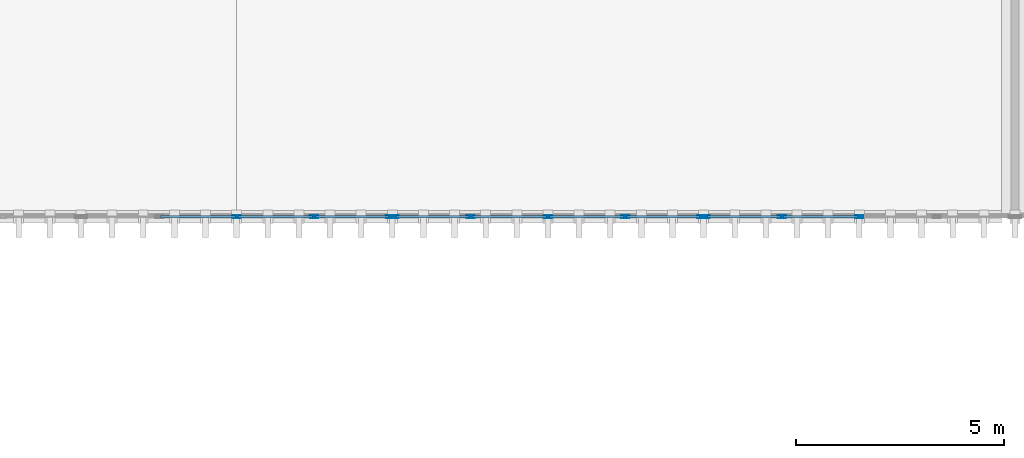
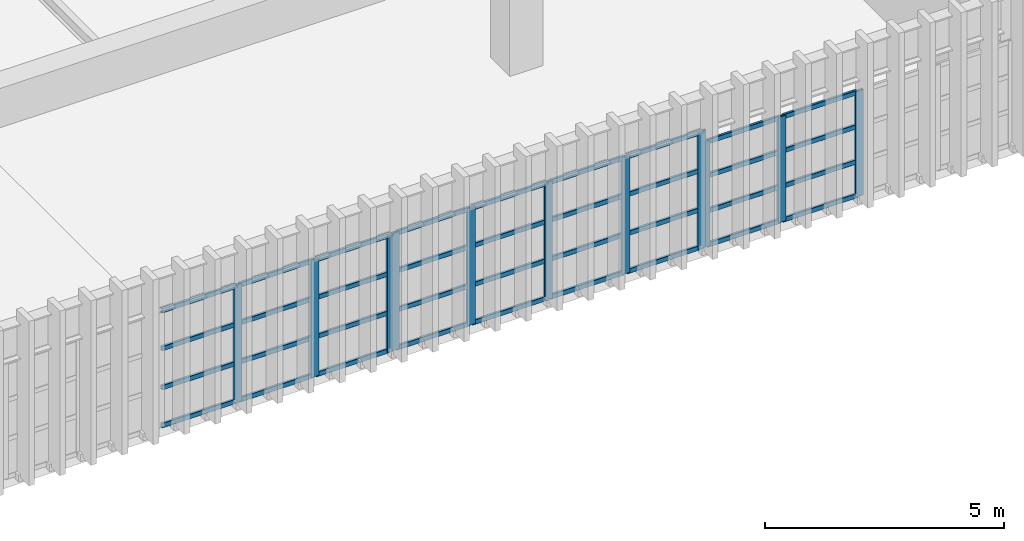
# One storey, part 31 of 124: 47 members, 3 elements without a shape of their own.
"""IFC4 building model written with IfcOpenShell, lengths in metres."""

import ifcopenshell
import ifcopenshell.guid

model = None  # the IFC model being written
_history = None  # IfcOwnerHistory: only IFC2X3 demands one
_inside = {}  # id of a spatial element -> (the spatial element, [elements in it])
_under = {}  # id of a project, library or spatial element -> (it, [spatial elements below it])
_declared = {}  # id of a project -> (the project, [libraries it declares])
_typed = {}  # id of a type object -> (the type object, [elements of that type])
_made_of = {}  # id of a material, layer set ... -> (it, [elements and type objects made of it])


def new_model(schema):
    """Start an empty IFC model of exactly this schema.

    Asked for "IFC4X3", IfcOpenShell would pick the latest addendum, in which some entities
    have other attributes; the version numbers below select the first issue.
    IFC2X3 requires an IfcOwnerHistory on every rooted entity: one is made here for all.
    """
    global model, _history
    if schema == "IFC4X3":
        model = ifcopenshell.file(schema_version=(4, 3, 0, 0))
    else:
        model = ifcopenshell.file(schema=schema)
    _inside.clear()
    _under.clear()
    _declared.clear()
    _typed.clear()
    _made_of.clear()
    _history = None
    if model.schema == "IFC2X3":
        org = make("IfcOrganization", Name="unknown")
        user = make(
            "IfcPersonAndOrganization",
            ThePerson=make("IfcPerson", FamilyName="unknown"),
            TheOrganization=org,
        )
        app = make(
            "IfcApplication",
            ApplicationDeveloper=org,
            Version="unknown",
            ApplicationFullName="unknown",
            ApplicationIdentifier="unknown",
        )
        _history = make(
            "IfcOwnerHistory",
            OwningUser=user,
            OwningApplication=app,
            ChangeAction="ADDED",
            CreationDate=0,
        )
    return model


def make(cls, **values):
    """One entity of the class cls with the attributes given. An attribute that is None is left unset."""
    return model.create_entity(
        cls, **{name: value for name, value in values.items() if value is not None}
    )


def rooted(cls, **values):
    """An entity with a GlobalId (a new one), such as an element, a storey or a relation."""
    return make(cls, GlobalId=ifcopenshell.guid.new(), OwnerHistory=_history, **values)


def si_unit(unit_type, name, prefix=None):
    """IfcSIUnit, for example si_unit("LENGTHUNIT", "METRE", prefix="MILLI")."""
    return make("IfcSIUnit", UnitType=unit_type, Prefix=prefix, Name=name)


def assignment(units):
    """IfcUnitAssignment: the units of a project."""
    return None if units is None else make("IfcUnitAssignment", Units=units)


def point(xyz):
    """IfcCartesianPoint."""
    return None if xyz is None else make("IfcCartesianPoint", Coordinates=xyz)


def direction(xyz):
    """IfcDirection."""
    return None if xyz is None else make("IfcDirection", DirectionRatios=xyz)


def frame(location, z_axis=None, x_axis=None):
    """IfcAxis2Placement3D, a coordinate frame: its origin and axes. An axis left out is left unset."""
    return make(
        "IfcAxis2Placement3D",
        Location=point(location),
        Axis=direction(z_axis),
        RefDirection=direction(x_axis),
    )


def frame_2d(location, x_axis=None):
    """IfcAxis2Placement2D, a coordinate frame in the plane: its origin and x axis."""
    return make(
        "IfcAxis2Placement2D", Location=point(location), RefDirection=direction(x_axis)
    )


def origin():
    """The frame at (0, 0, 0) with its axes left unset."""
    return frame((0.0, 0.0, 0.0))


def origin_2d():
    """The frame at (0, 0) in the plane with its x axis left unset."""
    return frame_2d((0.0, 0.0))


def place(relative_to, where):
    """IfcLocalPlacement: puts the frame where relative to a parent placement (None: the world)."""
    return make(
        "IfcLocalPlacement", PlacementRelTo=relative_to, RelativePlacement=where
    )


def context(
    kind, dimensions, precision=None, world=None, true_north=None, identifier=None
):
    """IfcGeometricRepresentationContext, for example the 3D "Model" context."""
    return make(
        "IfcGeometricRepresentationContext",
        ContextIdentifier=identifier,
        ContextType=kind,
        CoordinateSpaceDimension=dimensions,
        Precision=precision,
        WorldCoordinateSystem=world,
        TrueNorth=true_north,
    )


def subcontext(parent, identifier, kind, view, scale=None):
    """IfcGeometricRepresentationSubContext, for example "Body" below "Model"."""
    return make(
        "IfcGeometricRepresentationSubContext",
        ContextIdentifier=identifier,
        ContextType=kind,
        ParentContext=parent,
        TargetScale=scale,
        TargetView=view,
    )


def project(units=None, contexts=None):
    """IfcProject with its units and contexts."""
    return rooted(
        "IfcProject",
        Name="project",
        RepresentationContexts=contexts,
        UnitsInContext=assignment(units),
    )


def spatial(cls, under=None, at=None, **own):
    """A site, building, storey or space (cls), placed at a placement, below another one or the project."""
    s = rooted(cls, ObjectPlacement=at, **own)
    if under is not None:
        _under.setdefault(under.id(), (under, []))[1].append(s)
    return s


def profile(cls, at=None, kind="AREA", **sizes):
    """A parametric profile (cls). Its sizes go by their IFC names, for example OverallWidth=200.0."""
    return make(cls, ProfileType=kind, Position=at, **sizes)


def hollow_rectangle(**sizes):
    """IfcRectangleHollowProfileDef."""
    return profile("IfcRectangleHollowProfileDef", **sizes)


def extrude(swept, where, along, depth):
    """IfcExtrudedAreaSolid: the profile swept, set in the frame where, extruded along a direction by depth."""
    return make(
        "IfcExtrudedAreaSolid",
        SweptArea=swept,
        Position=where,
        ExtrudedDirection=direction(along),
        Depth=depth,
    )


def shape(context_of_items, identifier, shape_type, items):
    """IfcShapeRepresentation: the items that make up one representation, for example the "Body"."""
    return make(
        "IfcShapeRepresentation",
        ContextOfItems=context_of_items,
        RepresentationIdentifier=identifier,
        RepresentationType=shape_type,
        Items=items,
    )


def material(Name=None, Category=None):
    """IfcMaterial."""
    return make("IfcMaterial", Name=Name, Category=Category)


def material_profile(
    of_material, cross_section, Name=None, Category=None, Priority=None
):
    """IfcMaterialProfile: a cross section and its material."""
    return make(
        "IfcMaterialProfile",
        Name=Name,
        Material=of_material,
        Profile=cross_section,
        Priority=Priority,
        Category=Category,
    )


def profile_set(profiles, Name=None, composite=None):
    """IfcMaterialProfileSet."""
    return make(
        "IfcMaterialProfileSet",
        Name=Name,
        MaterialProfiles=profiles,
        CompositeProfile=composite,
    )


def made_of(thing, what):
    """Note that an element or type object is made of a material, layer set ...; save() writes the relation."""
    if what is not None:
        _made_of.setdefault(what.id(), (what, []))[1].append(thing)
    return thing


def type_object(cls, material=None, **own):
    """A type object (cls), such as IfcWallType, which elements share."""
    return made_of(rooted(cls, **own), material)


def element(
    cls,
    number,
    at=None,
    inside=None,
    cuts=None,
    type_object=None,
    material=None,
    context=None,
    identifier="Body",
    shape_type=None,
    held_by="IfcProductDefinitionShape",
    body=None,
    shapes=None,
    **own,
):
    """One element of the class cls, such as IfcWall. Its Tag is "e" and its number.

    at: its placement. inside: the storey or other place that contains it. cuts: it is an
    opening in that element (IfcRelVoidsElement). A single representation is given by context,
    identifier, shape_type and body (its items); several are given by shapes. held_by: the class
    of the entity that holds the representations. save() writes the other relations.
    """
    e = rooted(cls, Tag="e%d" % number, ObjectPlacement=at, **own)
    if body is not None:
        shapes = [shape(context, identifier, shape_type, body)]
    if shapes is not None:
        e.Representation = make(held_by, Representations=shapes)
    if inside is not None:
        _inside.setdefault(inside.id(), (inside, []))[1].append(e)
    if cuts is not None:
        rooted(
            "IfcRelVoidsElement", RelatingBuildingElement=cuts, RelatedOpeningElement=e
        )
    if type_object is not None:
        _typed.setdefault(type_object.id(), (type_object, []))[1].append(e)
    return made_of(e, material)


def aggregate(whole, parts):
    """IfcRelAggregates: a whole, such as a stair, and the parts it consists of."""
    return rooted("IfcRelAggregates", RelatingObject=whole, RelatedObjects=parts)


def save(model, path):
    """Write the relations noted so far, then the file.

    IfcRelAggregates (storeys below a building ...), IfcRelContainedInSpatialStructure (elements
    in a storey), IfcRelDefinesByType, IfcRelAssociatesMaterial and IfcRelDeclares: one each for
    every whole, place, type object, material and project.
    """
    for whole, parts in _under.values():
        aggregate(whole, parts)
    for where, things in _inside.values():
        rooted(
            "IfcRelContainedInSpatialStructure",
            RelatedElements=things,
            RelatingStructure=where,
        )
    for kind, things in _typed.values():
        rooted("IfcRelDefinesByType", RelatedObjects=things, RelatingType=kind)
    for what, things in _made_of.values():
        rooted("IfcRelAssociatesMaterial", RelatedObjects=things, RelatingMaterial=what)
    for by, libraries in _declared.values():
        rooted("IfcRelDeclares", RelatingContext=by, RelatedDefinitions=libraries)
    model.write(path)


model = new_model("IFC4")

# Units and contexts
model_context = context("Model", 3, precision=1e-05, world=origin(), true_north=direction((0.0, 1.0)))
body_context = subcontext(model_context, "Body", "Model", "MODEL_VIEW")
ifc_project = project(units=[si_unit("LENGTHUNIT", "METRE"), si_unit("AREAUNIT", "SQUARE_METRE"), si_unit("VOLUMEUNIT", "CUBIC_METRE"), si_unit("PLANEANGLEUNIT", "RADIAN"), si_unit("MASSUNIT", "GRAM", prefix="KILO")], contexts=[model_context])

# Site, building, storey
site_placement = place(None, origin())
site = spatial("IfcSite", under=ifc_project, at=site_placement, CompositionType="ELEMENT")
building_placement = place(site_placement, origin())
building = spatial("IfcBuilding", under=site, at=building_placement, Name="Qasida Concert Hall", CompositionType="ELEMENT")
storey_placement = place(building_placement, frame((0.0, 0.0, 9.0)))
storey = spatial("IfcBuildingStorey", under=building, at=storey_placement, Name="L02", CompositionType="ELEMENT", Elevation=9.0)

# Curtain wall, members
ifc_material_1 = material(Name="Architectural bronze-anodized aluminium and low-E glass", Category="aluminium")
curtain_wall_type = type_object("IfcCurtainWallType", Name="CW-03", PredefinedType="NOTDEFINED", material=ifc_material_1)
curtain_wall_1_placement = place(storey_placement, origin())
curtain_wall_1 = element("IfcCurtainWall", 1, at=curtain_wall_1_placement, inside=storey, type_object=curtain_wall_type, Name="L02 curtain wall CW-03 0011", PredefinedType="NOTDEFINED")
ifc_material_2 = material(Name="Architectural bronze-anodized aluminium EN AW-6063", Category="aluminium")
ifc_material_profile_1 = material_profile(ifc_material_2, hollow_rectangle(XDim=0.06494140625, YDim=0.199951171875, WallThickness=0.0048828125, InnerFilletRadius=0.0048828125, OuterFilletRadius=0.010009765625, at=origin_2d()), Name="CWM 200x65x5")
ifc_profile_set_1 = profile_set([ifc_material_profile_1], Name="Architectural bronze-anodized aluminium EN AW-6063")
member_type_1 = type_object("IfcMemberType", Name="MB-CWM-2", PredefinedType="MULLION", material=ifc_profile_set_1)
member_1_placement = place(storey_placement, frame((78.75, 14.699951171875, 0.0), z_axis=(0.0, 0.0, 1.0), x_axis=(0.0, 1.0, 0.0)))
member_1 = element("IfcMember", 2, at=member_1_placement, type_object=member_type_1, Name="CW-03 mullion 3", PredefinedType="MULLION", context=body_context, shape_type="SweptSolid", body=[
    extrude(hollow_rectangle(XDim=0.06494140625, YDim=0.199951171875, WallThickness=0.0048828125, InnerFilletRadius=0.0048828125, OuterFilletRadius=0.010009765625, at=origin_2d()), origin(), (0.0, 0.0, 1.0), 2.989990234375),
])
member_2_placement = place(storey_placement, frame((80.614990234375, 14.699951171875, 0.0), z_axis=(0.0, 0.0, 1.0), x_axis=(0.0, 1.0, 0.0)))
member_2 = element("IfcMember", 3, at=member_2_placement, type_object=member_type_1, Name="CW-03 mullion 4", PredefinedType="MULLION", context=body_context, shape_type="SweptSolid", body=[
    extrude(hollow_rectangle(XDim=0.06494140625, YDim=0.199951171875, WallThickness=0.0048828125, InnerFilletRadius=0.0048828125, OuterFilletRadius=0.010009765625, at=origin_2d()), origin(), (0.0, 0.0, 1.0), 2.989990234375),
])
member_3_placement = place(storey_placement, frame((82.447509765625, 14.699951171875, 0.0), z_axis=(0.0, 0.0, 1.0), x_axis=(0.0, 1.0, 0.0)))
member_3 = element("IfcMember", 4, at=member_3_placement, type_object=member_type_1, Name="CW-03 mullion 5", PredefinedType="MULLION", context=body_context, shape_type="SweptSolid", body=[
    extrude(hollow_rectangle(XDim=0.06494140625, YDim=0.199951171875, WallThickness=0.0048828125, InnerFilletRadius=0.0048828125, OuterFilletRadius=0.010009765625, at=origin_2d()), origin(), (0.0, 0.0, 1.0), 2.989990234375),
])

curtain_wall_2_placement = place(storey_placement, origin())
curtain_wall_2 = element("IfcCurtainWall", 5, at=curtain_wall_2_placement, inside=storey, type_object=curtain_wall_type, Name="L02 curtain wall CW-03 0012", PredefinedType="NOTDEFINED")
member_4_placement = place(storey_placement, frame((82.552490234375, 14.699951171875, 0.0), z_axis=(0.0, 0.0, 1.0), x_axis=(0.0, 1.0, 0.0)))
member_4 = element("IfcMember", 6, at=member_4_placement, type_object=member_type_1, Name="CW-03 mullion 1", PredefinedType="MULLION", context=body_context, shape_type="SweptSolid", body=[
    extrude(hollow_rectangle(XDim=0.06494140625, YDim=0.199951171875, WallThickness=0.0048828125, InnerFilletRadius=0.0048828125, OuterFilletRadius=0.010009765625, at=origin_2d()), origin(), (0.0, 0.0, 1.0), 2.989990234375),
])
member_5_placement = place(storey_placement, frame((84.385009765625, 14.699951171875, 0.0), z_axis=(0.0, 0.0, 1.0), x_axis=(0.0, 1.0, 0.0)))
member_5 = element("IfcMember", 7, at=member_5_placement, type_object=member_type_1, Name="CW-03 mullion 2", PredefinedType="MULLION", context=body_context, shape_type="SweptSolid", body=[
    extrude(hollow_rectangle(XDim=0.06494140625, YDim=0.199951171875, WallThickness=0.0048828125, InnerFilletRadius=0.0048828125, OuterFilletRadius=0.010009765625, at=origin_2d()), origin(), (0.0, 0.0, 1.0), 2.989990234375),
])
member_6_placement = place(storey_placement, frame((86.25, 14.699951171875, 0.0), z_axis=(0.0, 0.0, 1.0), x_axis=(0.0, 1.0, 0.0)))
member_6 = element("IfcMember", 8, at=member_6_placement, type_object=member_type_1, Name="CW-03 mullion 3", PredefinedType="MULLION", context=body_context, shape_type="SweptSolid", body=[
    extrude(hollow_rectangle(XDim=0.06494140625, YDim=0.199951171875, WallThickness=0.0048828125, InnerFilletRadius=0.0048828125, OuterFilletRadius=0.010009765625, at=origin_2d()), origin(), (0.0, 0.0, 1.0), 2.989990234375),
])
member_7_placement = place(storey_placement, frame((88.114990234375, 14.699951171875, 0.0), z_axis=(0.0, 0.0, 1.0), x_axis=(0.0, 1.0, 0.0)))
member_7 = element("IfcMember", 9, at=member_7_placement, type_object=member_type_1, Name="CW-03 mullion 4", PredefinedType="MULLION", context=body_context, shape_type="SweptSolid", body=[
    extrude(hollow_rectangle(XDim=0.06494140625, YDim=0.199951171875, WallThickness=0.0048828125, InnerFilletRadius=0.0048828125, OuterFilletRadius=0.010009765625, at=origin_2d()), origin(), (0.0, 0.0, 1.0), 2.989990234375),
])
member_8_placement = place(storey_placement, frame((89.947509765625, 14.699951171875, 0.0), z_axis=(0.0, 0.0, 1.0), x_axis=(0.0, 1.0, 0.0)))
member_8 = element("IfcMember", 10, at=member_8_placement, type_object=member_type_1, Name="CW-03 mullion 5", PredefinedType="MULLION", context=body_context, shape_type="SweptSolid", body=[
    extrude(hollow_rectangle(XDim=0.06494140625, YDim=0.199951171875, WallThickness=0.0048828125, InnerFilletRadius=0.0048828125, OuterFilletRadius=0.010009765625, at=origin_2d()), origin(), (0.0, 0.0, 1.0), 2.989990234375),
])

curtain_wall_3_placement = place(storey_placement, origin())
curtain_wall_3 = element("IfcCurtainWall", 11, at=curtain_wall_3_placement, inside=storey, type_object=curtain_wall_type, Name="L02 curtain wall CW-03 0013", PredefinedType="NOTDEFINED")
member_9_placement = place(storey_placement, frame((90.052490234375, 14.699951171875, 0.0), z_axis=(0.0, 0.0, 1.0), x_axis=(0.0, 1.0, 0.0)))
member_9 = element("IfcMember", 12, at=member_9_placement, type_object=member_type_1, Name="CW-03 mullion 1", PredefinedType="MULLION", context=body_context, shape_type="SweptSolid", body=[
    extrude(hollow_rectangle(XDim=0.06494140625, YDim=0.199951171875, WallThickness=0.0048828125, InnerFilletRadius=0.0048828125, OuterFilletRadius=0.010009765625, at=origin_2d()), origin(), (0.0, 0.0, 1.0), 2.68994140625),
])
member_10_placement = place(storey_placement, frame((91.885009765625, 14.699951171875, 0.0), z_axis=(0.0, 0.0, 1.0), x_axis=(0.0, 1.0, 0.0)))
member_10 = element("IfcMember", 13, at=member_10_placement, type_object=member_type_1, Name="CW-03 mullion 2", PredefinedType="MULLION", context=body_context, shape_type="SweptSolid", body=[
    extrude(hollow_rectangle(XDim=0.06494140625, YDim=0.199951171875, WallThickness=0.0048828125, InnerFilletRadius=0.0048828125, OuterFilletRadius=0.010009765625, at=origin_2d()), origin(), (0.0, 0.0, 1.0), 2.68994140625),
])
member_11_placement = place(storey_placement, frame((93.75, 14.699951171875, 0.0), z_axis=(0.0, 0.0, 1.0), x_axis=(0.0, 1.0, 0.0)))
member_11 = element("IfcMember", 14, at=member_11_placement, type_object=member_type_1, Name="CW-03 mullion 3", PredefinedType="MULLION", context=body_context, shape_type="SweptSolid", body=[
    extrude(hollow_rectangle(XDim=0.06494140625, YDim=0.199951171875, WallThickness=0.0048828125, InnerFilletRadius=0.0048828125, OuterFilletRadius=0.010009765625, at=origin_2d()), origin(), (0.0, 0.0, 1.0), 2.68994140625),
])

# Member
ifc_material_profile_2 = material_profile(ifc_material_2, hollow_rectangle(XDim=0.06005859375, YDim=0.1201171875, WallThickness=0.00390625, InnerFilletRadius=0.00390625, OuterFilletRadius=0.008056640625, at=origin_2d()), Name="CWT 120x60x4")
ifc_profile_set_2 = profile_set([ifc_material_profile_2], Name="Architectural bronze-anodized aluminium EN AW-6063")
member_type_2 = type_object("IfcMemberType", Name="MB-CWT-2", PredefinedType="USERDEFINED", material=ifc_profile_set_2)
member_12_placement = place(storey_placement, frame((76.91748046875, 14.699951171875, 0.030029296875), z_axis=(1.0, 0.0, 0.0), x_axis=(0.0, 1.0, 0.0)))
member_12 = element("IfcMember", 15, at=member_12_placement, type_object=member_type_2, Name="CW-03 transom 2.1", ObjectType="TRANSOM", PredefinedType="USERDEFINED", context=body_context, shape_type="SweptSolid", body=[
    extrude(hollow_rectangle(XDim=0.06005859375, YDim=0.1201171875, WallThickness=0.00390625, InnerFilletRadius=0.00390625, OuterFilletRadius=0.008056640625, at=origin_2d()), origin(), (0.0, 0.0, 1.0), 1.800048828125),
])

member_13_placement = place(storey_placement, frame((76.91748046875, 14.699951171875, 0.99658203125), z_axis=(1.0, 0.0, 0.0), x_axis=(0.0, 1.0, 0.0)))
member_13 = element("IfcMember", 16, at=member_13_placement, type_object=member_type_2, Name="CW-03 transom 2.2", ObjectType="TRANSOM", PredefinedType="USERDEFINED", context=body_context, shape_type="SweptSolid", body=[
    extrude(hollow_rectangle(XDim=0.06005859375, YDim=0.1201171875, WallThickness=0.00390625, InnerFilletRadius=0.00390625, OuterFilletRadius=0.008056640625, at=origin_2d()), origin(), (0.0, 0.0, 1.0), 1.800048828125),
])

member_14_placement = place(storey_placement, frame((76.91748046875, 14.699951171875, 1.993408203125), z_axis=(1.0, 0.0, 0.0), x_axis=(0.0, 1.0, 0.0)))
member_14 = element("IfcMember", 17, at=member_14_placement, type_object=member_type_2, Name="CW-03 transom 2.3", ObjectType="TRANSOM", PredefinedType="USERDEFINED", context=body_context, shape_type="SweptSolid", body=[
    extrude(hollow_rectangle(XDim=0.06005859375, YDim=0.1201171875, WallThickness=0.00390625, InnerFilletRadius=0.00390625, OuterFilletRadius=0.008056640625, at=origin_2d()), origin(), (0.0, 0.0, 1.0), 1.800048828125),
])

member_15_placement = place(storey_placement, frame((76.91748046875, 14.699951171875, 2.9599609375), z_axis=(1.0, 0.0, 0.0), x_axis=(0.0, 1.0, 0.0)))
member_15 = element("IfcMember", 18, at=member_15_placement, type_object=member_type_2, Name="CW-03 transom 2.4", ObjectType="TRANSOM", PredefinedType="USERDEFINED", context=body_context, shape_type="SweptSolid", body=[
    extrude(hollow_rectangle(XDim=0.06005859375, YDim=0.1201171875, WallThickness=0.00390625, InnerFilletRadius=0.00390625, OuterFilletRadius=0.008056640625, at=origin_2d()), origin(), (0.0, 0.0, 1.0), 1.800048828125),
])

member_16_placement = place(storey_placement, frame((78.782470703125, 14.699951171875, 0.030029296875), z_axis=(1.0, 0.0, 0.0), x_axis=(0.0, 1.0, 0.0)))
member_16 = element("IfcMember", 19, at=member_16_placement, type_object=member_type_2, Name="CW-03 transom 3.1", ObjectType="TRANSOM", PredefinedType="USERDEFINED", context=body_context, shape_type="SweptSolid", body=[
    extrude(hollow_rectangle(XDim=0.06005859375, YDim=0.1201171875, WallThickness=0.00390625, InnerFilletRadius=0.00390625, OuterFilletRadius=0.008056640625, at=origin_2d()), origin(), (0.0, 0.0, 1.0), 1.800048828125),
])

member_17_placement = place(storey_placement, frame((78.782470703125, 14.699951171875, 0.99658203125), z_axis=(1.0, 0.0, 0.0), x_axis=(0.0, 1.0, 0.0)))
member_17 = element("IfcMember", 20, at=member_17_placement, type_object=member_type_2, Name="CW-03 transom 3.2", ObjectType="TRANSOM", PredefinedType="USERDEFINED", context=body_context, shape_type="SweptSolid", body=[
    extrude(hollow_rectangle(XDim=0.06005859375, YDim=0.1201171875, WallThickness=0.00390625, InnerFilletRadius=0.00390625, OuterFilletRadius=0.008056640625, at=origin_2d()), origin(), (0.0, 0.0, 1.0), 1.800048828125),
])

member_18_placement = place(storey_placement, frame((78.782470703125, 14.699951171875, 1.993408203125), z_axis=(1.0, 0.0, 0.0), x_axis=(0.0, 1.0, 0.0)))
member_18 = element("IfcMember", 21, at=member_18_placement, type_object=member_type_2, Name="CW-03 transom 3.3", ObjectType="TRANSOM", PredefinedType="USERDEFINED", context=body_context, shape_type="SweptSolid", body=[
    extrude(hollow_rectangle(XDim=0.06005859375, YDim=0.1201171875, WallThickness=0.00390625, InnerFilletRadius=0.00390625, OuterFilletRadius=0.008056640625, at=origin_2d()), origin(), (0.0, 0.0, 1.0), 1.800048828125),
])

member_19_placement = place(storey_placement, frame((78.782470703125, 14.699951171875, 2.9599609375), z_axis=(1.0, 0.0, 0.0), x_axis=(0.0, 1.0, 0.0)))
member_19 = element("IfcMember", 22, at=member_19_placement, type_object=member_type_2, Name="CW-03 transom 3.4", ObjectType="TRANSOM", PredefinedType="USERDEFINED", context=body_context, shape_type="SweptSolid", body=[
    extrude(hollow_rectangle(XDim=0.06005859375, YDim=0.1201171875, WallThickness=0.00390625, InnerFilletRadius=0.00390625, OuterFilletRadius=0.008056640625, at=origin_2d()), origin(), (0.0, 0.0, 1.0), 1.800048828125),
])

member_20_placement = place(storey_placement, frame((80.6474609375, 14.699951171875, 0.030029296875), z_axis=(1.0, 0.0, 0.0), x_axis=(0.0, 1.0, 0.0)))
member_20 = element("IfcMember", 23, at=member_20_placement, type_object=member_type_2, Name="CW-03 transom 4.1", ObjectType="TRANSOM", PredefinedType="USERDEFINED", context=body_context, shape_type="SweptSolid", body=[
    extrude(hollow_rectangle(XDim=0.06005859375, YDim=0.1201171875, WallThickness=0.00390625, InnerFilletRadius=0.00390625, OuterFilletRadius=0.008056640625, at=origin_2d()), origin(), (0.0, 0.0, 1.0), 1.767578125),
])

member_21_placement = place(storey_placement, frame((80.6474609375, 14.699951171875, 0.99658203125), z_axis=(1.0, 0.0, 0.0), x_axis=(0.0, 1.0, 0.0)))
member_21 = element("IfcMember", 24, at=member_21_placement, type_object=member_type_2, Name="CW-03 transom 4.2", ObjectType="TRANSOM", PredefinedType="USERDEFINED", context=body_context, shape_type="SweptSolid", body=[
    extrude(hollow_rectangle(XDim=0.06005859375, YDim=0.1201171875, WallThickness=0.00390625, InnerFilletRadius=0.00390625, OuterFilletRadius=0.008056640625, at=origin_2d()), origin(), (0.0, 0.0, 1.0), 1.767578125),
])

member_22_placement = place(storey_placement, frame((80.6474609375, 14.699951171875, 1.993408203125), z_axis=(1.0, 0.0, 0.0), x_axis=(0.0, 1.0, 0.0)))
member_22 = element("IfcMember", 25, at=member_22_placement, type_object=member_type_2, Name="CW-03 transom 4.3", ObjectType="TRANSOM", PredefinedType="USERDEFINED", context=body_context, shape_type="SweptSolid", body=[
    extrude(hollow_rectangle(XDim=0.06005859375, YDim=0.1201171875, WallThickness=0.00390625, InnerFilletRadius=0.00390625, OuterFilletRadius=0.008056640625, at=origin_2d()), origin(), (0.0, 0.0, 1.0), 1.767578125),
])

member_23_placement = place(storey_placement, frame((80.6474609375, 14.699951171875, 2.9599609375), z_axis=(1.0, 0.0, 0.0), x_axis=(0.0, 1.0, 0.0)))
member_23 = element("IfcMember", 26, at=member_23_placement, type_object=member_type_2, Name="CW-03 transom 4.4", ObjectType="TRANSOM", PredefinedType="USERDEFINED", context=body_context, shape_type="SweptSolid", body=[
    extrude(hollow_rectangle(XDim=0.06005859375, YDim=0.1201171875, WallThickness=0.00390625, InnerFilletRadius=0.00390625, OuterFilletRadius=0.008056640625, at=origin_2d()), origin(), (0.0, 0.0, 1.0), 1.767578125),
])

aggregate(curtain_wall_1, [member_1, member_2, member_3, member_12, member_13, member_14, member_15, member_16, member_17, member_18, member_19, member_20, member_21, member_22, member_23])

member_24_placement = place(storey_placement, frame((82.5849609375, 14.699951171875, 0.030029296875), z_axis=(1.0, 0.0, 0.0), x_axis=(0.0, 1.0, 0.0)))
member_24 = element("IfcMember", 27, at=member_24_placement, type_object=member_type_2, Name="CW-03 transom 1.1", ObjectType="TRANSOM", PredefinedType="USERDEFINED", context=body_context, shape_type="SweptSolid", body=[
    extrude(hollow_rectangle(XDim=0.06005859375, YDim=0.1201171875, WallThickness=0.00390625, InnerFilletRadius=0.00390625, OuterFilletRadius=0.008056640625, at=origin_2d()), origin(), (0.0, 0.0, 1.0), 1.767578125),
])

member_25_placement = place(storey_placement, frame((82.5849609375, 14.699951171875, 0.99658203125), z_axis=(1.0, 0.0, 0.0), x_axis=(0.0, 1.0, 0.0)))
member_25 = element("IfcMember", 28, at=member_25_placement, type_object=member_type_2, Name="CW-03 transom 1.2", ObjectType="TRANSOM", PredefinedType="USERDEFINED", context=body_context, shape_type="SweptSolid", body=[
    extrude(hollow_rectangle(XDim=0.06005859375, YDim=0.1201171875, WallThickness=0.00390625, InnerFilletRadius=0.00390625, OuterFilletRadius=0.008056640625, at=origin_2d()), origin(), (0.0, 0.0, 1.0), 1.767578125),
])

member_26_placement = place(storey_placement, frame((82.5849609375, 14.699951171875, 1.993408203125), z_axis=(1.0, 0.0, 0.0), x_axis=(0.0, 1.0, 0.0)))
member_26 = element("IfcMember", 29, at=member_26_placement, type_object=member_type_2, Name="CW-03 transom 1.3", ObjectType="TRANSOM", PredefinedType="USERDEFINED", context=body_context, shape_type="SweptSolid", body=[
    extrude(hollow_rectangle(XDim=0.06005859375, YDim=0.1201171875, WallThickness=0.00390625, InnerFilletRadius=0.00390625, OuterFilletRadius=0.008056640625, at=origin_2d()), origin(), (0.0, 0.0, 1.0), 1.767578125),
])

member_27_placement = place(storey_placement, frame((82.5849609375, 14.699951171875, 2.9599609375), z_axis=(1.0, 0.0, 0.0), x_axis=(0.0, 1.0, 0.0)))
member_27 = element("IfcMember", 30, at=member_27_placement, type_object=member_type_2, Name="CW-03 transom 1.4", ObjectType="TRANSOM", PredefinedType="USERDEFINED", context=body_context, shape_type="SweptSolid", body=[
    extrude(hollow_rectangle(XDim=0.06005859375, YDim=0.1201171875, WallThickness=0.00390625, InnerFilletRadius=0.00390625, OuterFilletRadius=0.008056640625, at=origin_2d()), origin(), (0.0, 0.0, 1.0), 1.767578125),
])

member_28_placement = place(storey_placement, frame((84.41748046875, 14.699951171875, 0.030029296875), z_axis=(1.0, 0.0, 0.0), x_axis=(0.0, 1.0, 0.0)))
member_28 = element("IfcMember", 31, at=member_28_placement, type_object=member_type_2, Name="CW-03 transom 2.1", ObjectType="TRANSOM", PredefinedType="USERDEFINED", context=body_context, shape_type="SweptSolid", body=[
    extrude(hollow_rectangle(XDim=0.06005859375, YDim=0.1201171875, WallThickness=0.00390625, InnerFilletRadius=0.00390625, OuterFilletRadius=0.008056640625, at=origin_2d()), origin(), (0.0, 0.0, 1.0), 1.800048828125),
])

member_29_placement = place(storey_placement, frame((84.41748046875, 14.699951171875, 0.99658203125), z_axis=(1.0, 0.0, 0.0), x_axis=(0.0, 1.0, 0.0)))
member_29 = element("IfcMember", 32, at=member_29_placement, type_object=member_type_2, Name="CW-03 transom 2.2", ObjectType="TRANSOM", PredefinedType="USERDEFINED", context=body_context, shape_type="SweptSolid", body=[
    extrude(hollow_rectangle(XDim=0.06005859375, YDim=0.1201171875, WallThickness=0.00390625, InnerFilletRadius=0.00390625, OuterFilletRadius=0.008056640625, at=origin_2d()), origin(), (0.0, 0.0, 1.0), 1.800048828125),
])

member_30_placement = place(storey_placement, frame((84.41748046875, 14.699951171875, 1.993408203125), z_axis=(1.0, 0.0, 0.0), x_axis=(0.0, 1.0, 0.0)))
member_30 = element("IfcMember", 33, at=member_30_placement, type_object=member_type_2, Name="CW-03 transom 2.3", ObjectType="TRANSOM", PredefinedType="USERDEFINED", context=body_context, shape_type="SweptSolid", body=[
    extrude(hollow_rectangle(XDim=0.06005859375, YDim=0.1201171875, WallThickness=0.00390625, InnerFilletRadius=0.00390625, OuterFilletRadius=0.008056640625, at=origin_2d()), origin(), (0.0, 0.0, 1.0), 1.800048828125),
])

member_31_placement = place(storey_placement, frame((84.41748046875, 14.699951171875, 2.9599609375), z_axis=(1.0, 0.0, 0.0), x_axis=(0.0, 1.0, 0.0)))
member_31 = element("IfcMember", 34, at=member_31_placement, type_object=member_type_2, Name="CW-03 transom 2.4", ObjectType="TRANSOM", PredefinedType="USERDEFINED", context=body_context, shape_type="SweptSolid", body=[
    extrude(hollow_rectangle(XDim=0.06005859375, YDim=0.1201171875, WallThickness=0.00390625, InnerFilletRadius=0.00390625, OuterFilletRadius=0.008056640625, at=origin_2d()), origin(), (0.0, 0.0, 1.0), 1.800048828125),
])

member_32_placement = place(storey_placement, frame((86.282470703125, 14.699951171875, 0.030029296875), z_axis=(1.0, 0.0, 0.0), x_axis=(0.0, 1.0, 0.0)))
member_32 = element("IfcMember", 35, at=member_32_placement, type_object=member_type_2, Name="CW-03 transom 3.1", ObjectType="TRANSOM", PredefinedType="USERDEFINED", context=body_context, shape_type="SweptSolid", body=[
    extrude(hollow_rectangle(XDim=0.06005859375, YDim=0.1201171875, WallThickness=0.00390625, InnerFilletRadius=0.00390625, OuterFilletRadius=0.008056640625, at=origin_2d()), origin(), (0.0, 0.0, 1.0), 1.800048828125),
])

member_33_placement = place(storey_placement, frame((86.282470703125, 14.699951171875, 0.99658203125), z_axis=(1.0, 0.0, 0.0), x_axis=(0.0, 1.0, 0.0)))
member_33 = element("IfcMember", 36, at=member_33_placement, type_object=member_type_2, Name="CW-03 transom 3.2", ObjectType="TRANSOM", PredefinedType="USERDEFINED", context=body_context, shape_type="SweptSolid", body=[
    extrude(hollow_rectangle(XDim=0.06005859375, YDim=0.1201171875, WallThickness=0.00390625, InnerFilletRadius=0.00390625, OuterFilletRadius=0.008056640625, at=origin_2d()), origin(), (0.0, 0.0, 1.0), 1.800048828125),
])

member_34_placement = place(storey_placement, frame((86.282470703125, 14.699951171875, 1.993408203125), z_axis=(1.0, 0.0, 0.0), x_axis=(0.0, 1.0, 0.0)))
member_34 = element("IfcMember", 37, at=member_34_placement, type_object=member_type_2, Name="CW-03 transom 3.3", ObjectType="TRANSOM", PredefinedType="USERDEFINED", context=body_context, shape_type="SweptSolid", body=[
    extrude(hollow_rectangle(XDim=0.06005859375, YDim=0.1201171875, WallThickness=0.00390625, InnerFilletRadius=0.00390625, OuterFilletRadius=0.008056640625, at=origin_2d()), origin(), (0.0, 0.0, 1.0), 1.800048828125),
])

member_35_placement = place(storey_placement, frame((86.282470703125, 14.699951171875, 2.9599609375), z_axis=(1.0, 0.0, 0.0), x_axis=(0.0, 1.0, 0.0)))
member_35 = element("IfcMember", 38, at=member_35_placement, type_object=member_type_2, Name="CW-03 transom 3.4", ObjectType="TRANSOM", PredefinedType="USERDEFINED", context=body_context, shape_type="SweptSolid", body=[
    extrude(hollow_rectangle(XDim=0.06005859375, YDim=0.1201171875, WallThickness=0.00390625, InnerFilletRadius=0.00390625, OuterFilletRadius=0.008056640625, at=origin_2d()), origin(), (0.0, 0.0, 1.0), 1.800048828125),
])

member_36_placement = place(storey_placement, frame((88.1474609375, 14.699951171875, 0.030029296875), z_axis=(1.0, 0.0, 0.0), x_axis=(0.0, 1.0, 0.0)))
member_36 = element("IfcMember", 39, at=member_36_placement, type_object=member_type_2, Name="CW-03 transom 4.1", ObjectType="TRANSOM", PredefinedType="USERDEFINED", context=body_context, shape_type="SweptSolid", body=[
    extrude(hollow_rectangle(XDim=0.06005859375, YDim=0.1201171875, WallThickness=0.00390625, InnerFilletRadius=0.00390625, OuterFilletRadius=0.008056640625, at=origin_2d()), origin(), (0.0, 0.0, 1.0), 1.767578125),
])

member_37_placement = place(storey_placement, frame((88.1474609375, 14.699951171875, 0.99658203125), z_axis=(1.0, 0.0, 0.0), x_axis=(0.0, 1.0, 0.0)))
member_37 = element("IfcMember", 40, at=member_37_placement, type_object=member_type_2, Name="CW-03 transom 4.2", ObjectType="TRANSOM", PredefinedType="USERDEFINED", context=body_context, shape_type="SweptSolid", body=[
    extrude(hollow_rectangle(XDim=0.06005859375, YDim=0.1201171875, WallThickness=0.00390625, InnerFilletRadius=0.00390625, OuterFilletRadius=0.008056640625, at=origin_2d()), origin(), (0.0, 0.0, 1.0), 1.767578125),
])

member_38_placement = place(storey_placement, frame((88.1474609375, 14.699951171875, 1.993408203125), z_axis=(1.0, 0.0, 0.0), x_axis=(0.0, 1.0, 0.0)))
member_38 = element("IfcMember", 41, at=member_38_placement, type_object=member_type_2, Name="CW-03 transom 4.3", ObjectType="TRANSOM", PredefinedType="USERDEFINED", context=body_context, shape_type="SweptSolid", body=[
    extrude(hollow_rectangle(XDim=0.06005859375, YDim=0.1201171875, WallThickness=0.00390625, InnerFilletRadius=0.00390625, OuterFilletRadius=0.008056640625, at=origin_2d()), origin(), (0.0, 0.0, 1.0), 1.767578125),
])

member_39_placement = place(storey_placement, frame((88.1474609375, 14.699951171875, 2.9599609375), z_axis=(1.0, 0.0, 0.0), x_axis=(0.0, 1.0, 0.0)))
member_39 = element("IfcMember", 42, at=member_39_placement, type_object=member_type_2, Name="CW-03 transom 4.4", ObjectType="TRANSOM", PredefinedType="USERDEFINED", context=body_context, shape_type="SweptSolid", body=[
    extrude(hollow_rectangle(XDim=0.06005859375, YDim=0.1201171875, WallThickness=0.00390625, InnerFilletRadius=0.00390625, OuterFilletRadius=0.008056640625, at=origin_2d()), origin(), (0.0, 0.0, 1.0), 1.767578125),
])

aggregate(curtain_wall_2, [member_4, member_5, member_6, member_7, member_8, member_24, member_25, member_26, member_27, member_28, member_29, member_30, member_31, member_32, member_33, member_34, member_35, member_36, member_37, member_38, member_39])

member_40_placement = place(storey_placement, frame((90.0849609375, 14.699951171875, 0.030029296875), z_axis=(1.0, 0.0, 0.0), x_axis=(0.0, 1.0, 0.0)))
member_40 = element("IfcMember", 43, at=member_40_placement, type_object=member_type_2, Name="CW-03 transom 1.1", ObjectType="TRANSOM", PredefinedType="USERDEFINED", context=body_context, shape_type="SweptSolid", body=[
    extrude(hollow_rectangle(XDim=0.06005859375, YDim=0.1201171875, WallThickness=0.00390625, InnerFilletRadius=0.00390625, OuterFilletRadius=0.008056640625, at=origin_2d()), origin(), (0.0, 0.0, 1.0), 1.767578125),
])

member_41_placement = place(storey_placement, frame((90.0849609375, 14.699951171875, 0.896728515625), z_axis=(1.0, 0.0, 0.0), x_axis=(0.0, 1.0, 0.0)))
member_41 = element("IfcMember", 44, at=member_41_placement, type_object=member_type_2, Name="CW-03 transom 1.2", ObjectType="TRANSOM", PredefinedType="USERDEFINED", context=body_context, shape_type="SweptSolid", body=[
    extrude(hollow_rectangle(XDim=0.06005859375, YDim=0.1201171875, WallThickness=0.00390625, InnerFilletRadius=0.00390625, OuterFilletRadius=0.008056640625, at=origin_2d()), origin(), (0.0, 0.0, 1.0), 1.767578125),
])

member_42_placement = place(storey_placement, frame((90.0849609375, 14.699951171875, 1.793212890625), z_axis=(1.0, 0.0, 0.0), x_axis=(0.0, 1.0, 0.0)))
member_42 = element("IfcMember", 45, at=member_42_placement, type_object=member_type_2, Name="CW-03 transom 1.3", ObjectType="TRANSOM", PredefinedType="USERDEFINED", context=body_context, shape_type="SweptSolid", body=[
    extrude(hollow_rectangle(XDim=0.06005859375, YDim=0.1201171875, WallThickness=0.00390625, InnerFilletRadius=0.00390625, OuterFilletRadius=0.008056640625, at=origin_2d()), origin(), (0.0, 0.0, 1.0), 1.767578125),
])

member_43_placement = place(storey_placement, frame((90.0849609375, 14.699951171875, 2.659912109375), z_axis=(1.0, 0.0, 0.0), x_axis=(0.0, 1.0, 0.0)))
member_43 = element("IfcMember", 46, at=member_43_placement, type_object=member_type_2, Name="CW-03 transom 1.4", ObjectType="TRANSOM", PredefinedType="USERDEFINED", context=body_context, shape_type="SweptSolid", body=[
    extrude(hollow_rectangle(XDim=0.06005859375, YDim=0.1201171875, WallThickness=0.00390625, InnerFilletRadius=0.00390625, OuterFilletRadius=0.008056640625, at=origin_2d()), origin(), (0.0, 0.0, 1.0), 1.767578125),
])

member_44_placement = place(storey_placement, frame((91.91748046875, 14.699951171875, 0.030029296875), z_axis=(1.0, 0.0, 0.0), x_axis=(0.0, 1.0, 0.0)))
member_44 = element("IfcMember", 47, at=member_44_placement, type_object=member_type_2, Name="CW-03 transom 2.1", ObjectType="TRANSOM", PredefinedType="USERDEFINED", context=body_context, shape_type="SweptSolid", body=[
    extrude(hollow_rectangle(XDim=0.06005859375, YDim=0.1201171875, WallThickness=0.00390625, InnerFilletRadius=0.00390625, OuterFilletRadius=0.008056640625, at=origin_2d()), origin(), (0.0, 0.0, 1.0), 1.800048828125),
])

member_45_placement = place(storey_placement, frame((91.91748046875, 14.699951171875, 0.896728515625), z_axis=(1.0, 0.0, 0.0), x_axis=(0.0, 1.0, 0.0)))
member_45 = element("IfcMember", 48, at=member_45_placement, type_object=member_type_2, Name="CW-03 transom 2.2", ObjectType="TRANSOM", PredefinedType="USERDEFINED", context=body_context, shape_type="SweptSolid", body=[
    extrude(hollow_rectangle(XDim=0.06005859375, YDim=0.1201171875, WallThickness=0.00390625, InnerFilletRadius=0.00390625, OuterFilletRadius=0.008056640625, at=origin_2d()), origin(), (0.0, 0.0, 1.0), 1.800048828125),
])

member_46_placement = place(storey_placement, frame((91.91748046875, 14.699951171875, 1.793212890625), z_axis=(1.0, 0.0, 0.0), x_axis=(0.0, 1.0, 0.0)))
member_46 = element("IfcMember", 49, at=member_46_placement, type_object=member_type_2, Name="CW-03 transom 2.3", ObjectType="TRANSOM", PredefinedType="USERDEFINED", context=body_context, shape_type="SweptSolid", body=[
    extrude(hollow_rectangle(XDim=0.06005859375, YDim=0.1201171875, WallThickness=0.00390625, InnerFilletRadius=0.00390625, OuterFilletRadius=0.008056640625, at=origin_2d()), origin(), (0.0, 0.0, 1.0), 1.800048828125),
])

member_47_placement = place(storey_placement, frame((91.91748046875, 14.699951171875, 2.659912109375), z_axis=(1.0, 0.0, 0.0), x_axis=(0.0, 1.0, 0.0)))
member_47 = element("IfcMember", 50, at=member_47_placement, type_object=member_type_2, Name="CW-03 transom 2.4", ObjectType="TRANSOM", PredefinedType="USERDEFINED", context=body_context, shape_type="SweptSolid", body=[
    extrude(hollow_rectangle(XDim=0.06005859375, YDim=0.1201171875, WallThickness=0.00390625, InnerFilletRadius=0.00390625, OuterFilletRadius=0.008056640625, at=origin_2d()), origin(), (0.0, 0.0, 1.0), 1.800048828125),
])

aggregate(curtain_wall_3, [member_9, member_10, member_11, member_40, member_41, member_42, member_43, member_44, member_45, member_46, member_47])

save(model, "model.ifc")
